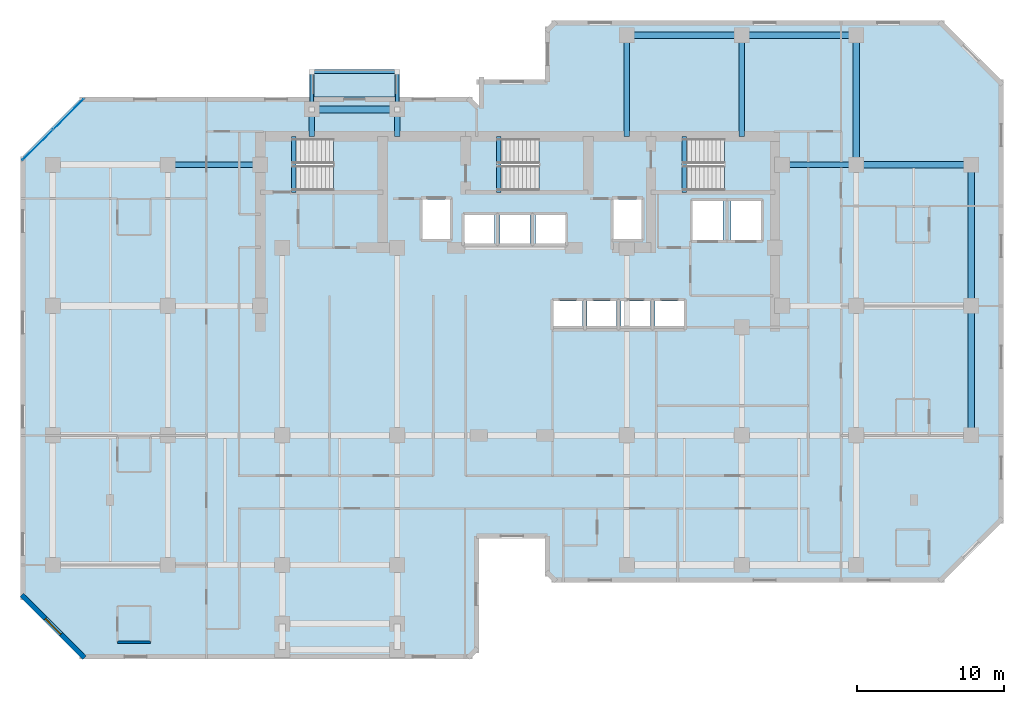
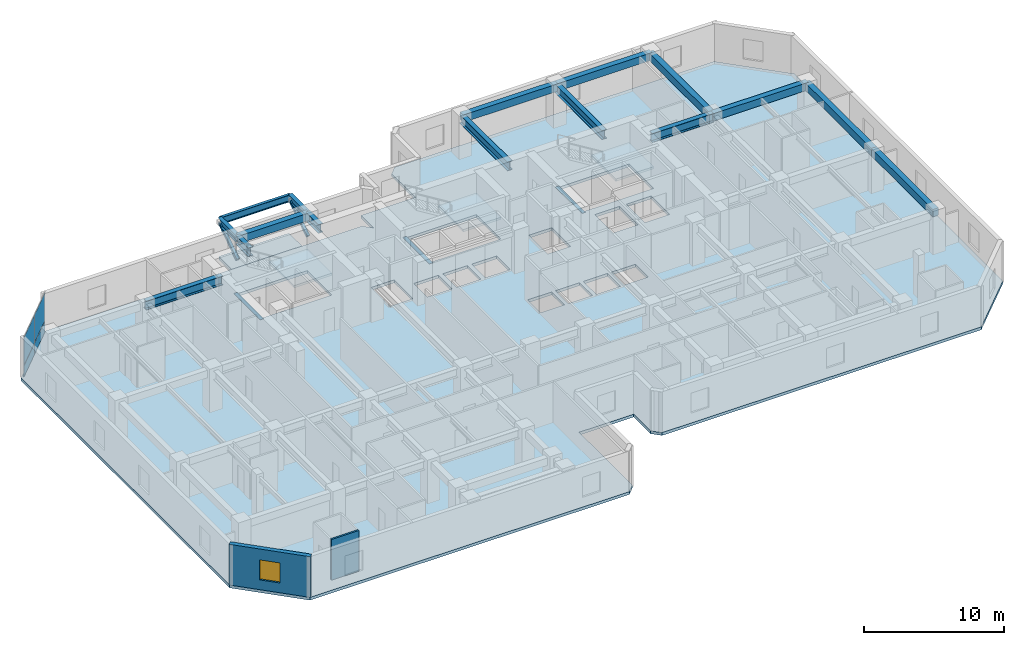
# One storey, part 3 of 9: 19 beams, 5 slabs, 4 plates, 2 members, 2 walls, 1 window, 1 opening, 4 elements without a shape of their own.
"""IFC4 building model written with IfcOpenShell, lengths in metres."""

from ifc_helpers import new_model, si_unit, direction, frame, frame_2d, origin, origin_2d, place, context, subcontext, project, spatial, polyline, rectangle, hollow_rectangle, i_section, outline, extrude, material, layer, layer_set, material_profile, profile_set, type_object, element, fill, aggregate, save


model = new_model("IFC4")

# Units and contexts
model_context = context("Model", 3, precision=1e-05, world=origin(), true_north=direction((0.0, 1.0)))
body_context = subcontext(model_context, "Body", "Model", "MODEL_VIEW")
ifc_project = project(units=[si_unit("LENGTHUNIT", "METRE"), si_unit("AREAUNIT", "SQUARE_METRE"), si_unit("VOLUMEUNIT", "CUBIC_METRE"), si_unit("PLANEANGLEUNIT", "RADIAN"), si_unit("MASSUNIT", "GRAM", prefix="KILO")], contexts=[model_context])

# Site, building, storey
site_placement = place(None, origin())
site = spatial("IfcSite", under=ifc_project, at=site_placement, CompositionType="ELEMENT")
building_placement = place(site_placement, origin())
building = spatial("IfcBuilding", under=site, at=building_placement, Name="Kestravale Grand Hotel", CompositionType="ELEMENT")
storey_placement = place(building_placement, frame((0.0, 0.0, 176.39990234375)))
storey = spatial("IfcBuildingStorey", under=building, at=storey_placement, Name="L44", CompositionType="ELEMENT", Elevation=176.39990234375)

# Beams
ifc_material_1 = material(Name="Concrete f'c 45 MPa", Category="concrete")
ifc_material_profile_1 = material_profile(ifc_material_1, rectangle(XDim=0.300048828125, YDim=0.39990234375, at=origin_2d()))
ifc_profile_set_1 = profile_set([ifc_material_profile_1], Name="Concrete f'c 45 MPa")
beam_type_1 = type_object("IfcBeamType", Name="B-FLR-LNT400", PredefinedType="LINTEL", material=ifc_profile_set_1)
for number, where, z_axis, x_axis, name in (
    (1, (24.159912109375, 36.52001953125, -0.199951171875), (0.0, 1.0, 0.0), (-1.0, 0.0, 0.0), "L44 ST1 flight bottom header beam"),
    (2, (38.110107421875, 36.52001953125, -0.199951171875), (0.0, 1.0, 0.0), (-1.0, 0.0, 0.0), "L44 ST2 flight bottom header beam"),
    (3, (50.7099609375, 36.52001953125, -0.199951171875), (0.0, 1.0, 0.0), (-1.0, 0.0, 0.0), "L44 ST3 flight bottom header beam"),
):
    element("IfcBeam", number, at=place(storey_placement, frame(where, z_axis=z_axis, x_axis=x_axis)), inside=storey, type_object=beam_type_1, Name=name, PredefinedType="LINTEL", context=body_context, shape_type="SweptSolid", body=[
        extrude(rectangle(XDim=0.300048828125, YDim=0.39990234375, at=origin_2d()), origin(), (0.0, 0.0, 1.0), 3.800048828125),
    ])
ifc_material_2 = material(Name="Concrete f'c 45 MPa", Category="concrete")
ifc_material_profile_2 = material_profile(ifc_material_2, rectangle(XDim=0.449951171875, YDim=0.64990234375, at=origin_2d()))
ifc_profile_set_2 = profile_set([ifc_material_profile_2], Name="Concrete f'c 45 MPa")
beam_type_2 = type_object("IfcBeamType", Name="B-FLR-RC650", PredefinedType="SPANDREL", material=ifc_profile_set_2)
for number, where, z_axis, x_axis, name in (
    (4, (62.39990234375, 38.39990234375, 3.22509765625), (1.0, 0.0, 0.0), (0.0, 1.0, 0.0), "L44 spandrel F:10-11"),
    (5, (46.800048828125, 47.199951171875, 3.22509765625), (1.0, 0.0, 0.0), (0.0, 1.0, 0.0), "L44 spandrel G:8-9"),
):
    element("IfcBeam", number, at=place(storey_placement, frame(where, z_axis=z_axis, x_axis=x_axis)), inside=storey, type_object=beam_type_2, Name=name, PredefinedType="SPANDREL", context=body_context, shape_type="SweptSolid", body=[
        extrude(rectangle(XDim=0.449951171875, YDim=0.64990234375, at=origin_2d()), origin(), (0.0, 0.0, 1.0), 7.800048828125),
    ])
beam_1_placement = place(storey_placement, frame((54.60009765625, 47.199951171875, 3.22509765625), z_axis=(1.0, 0.0, 0.0), x_axis=(0.0, 1.0, 0.0)))
element("IfcBeam", 6, at=beam_1_placement, inside=storey, type_object=beam_type_2, Name="L44 spandrel G:9-10", PredefinedType="SPANDREL", context=body_context, shape_type="SweptSolid", body=[
    extrude(rectangle(XDim=0.449951171875, YDim=0.64990234375, at=origin_2d()), origin(), (0.0, 0.0, 1.0), 7.7998046875),
])
beam_2_placement = place(storey_placement, frame((25.39990234375, 42.14990234375, 3.22509765625), z_axis=(1.0, 0.0, 0.0), x_axis=(0.0, 1.0, 0.0)))
element("IfcBeam", 7, at=beam_2_placement, inside=storey, type_object=beam_type_2, Name="L44 perimeter tie spandrel FN:4-5", PredefinedType="SPANDREL", context=body_context, shape_type="SweptSolid", body=[
    extrude(rectangle(XDim=0.449951171875, YDim=0.64990234375, at=origin_2d()), origin(), (0.0, 0.0, 1.0), 5.800048828125),
])
for number, where, z_axis, x_axis, name in (
    (8, (62.39990234375, 38.39990234375, 3.22509765625), (0.0, 1.0, 0.0), (-1.0, 0.0, 0.0), "L44 spandrel 10:F-G"),
    (9, (70.199951171875, 20.0, 3.22509765625), (0.0, 1.0, 0.0), (-1.0, 0.0, 0.0), "L44 spandrel 11:D-E"),
):
    element("IfcBeam", number, at=place(storey_placement, frame(where, z_axis=z_axis, x_axis=x_axis)), inside=storey, type_object=beam_type_2, Name=name, PredefinedType="SPANDREL", context=body_context, shape_type="SweptSolid", body=[
        extrude(rectangle(XDim=0.449951171875, YDim=0.64990234375, at=origin_2d()), origin(), (0.0, 0.0, 1.0), 8.800048828125),
    ])
beam_3_placement = place(storey_placement, frame((70.199951171875, 28.800048828125, 3.22509765625), z_axis=(0.0, 1.0, 0.0), x_axis=(-1.0, 0.0, 0.0)))
element("IfcBeam", 10, at=beam_3_placement, inside=storey, type_object=beam_type_2, Name="L44 spandrel 11:E-F", PredefinedType="SPANDREL", context=body_context, shape_type="SweptSolid", body=[
    extrude(rectangle(XDim=0.449951171875, YDim=0.64990234375, at=origin_2d()), origin(), (0.0, 0.0, 1.0), 9.599853515625),
])
ifc_material_3 = material(Name="Steel ASTM A992 Grade 50", Category="steel")
ifc_material_profile_3 = material_profile(ifc_material_3, i_section(OverallWidth=0.324951171875, OverallDepth=0.612060546875, WebThickness=0.0126953125, FlangeThickness=0.01904296875, FilletRadius=0.018798828125, at=origin_2d()))
ifc_profile_set_3 = profile_set([ifc_material_profile_3], Name="Steel ASTM A992 Grade 50")
beam_type_3 = type_object("IfcBeamType", Name="B-FLR-W24A", PredefinedType="SPANDREL", material=ifc_profile_set_3)
for number, where, z_axis, x_axis, name in (
    (11, (25.39990234375, 42.14990234375, 3.22412109375), (0.0, 1.0, 0.0), (-1.0, 0.0, 0.0), "L45 terrace cantilever beam 1"),
    (12, (31.199951171875, 42.14990234375, 3.22412109375), (0.0, 1.0, 0.0), (-1.0, 0.0, 0.0), "L45 terrace cantilever beam 2"),
):
    element("IfcBeam", number, at=place(storey_placement, frame(where, z_axis=z_axis, x_axis=x_axis)), inside=storey, type_object=beam_type_3, Name=name, PredefinedType="SPANDREL", context=body_context, shape_type="SweptSolid", body=[
        extrude(i_section(OverallWidth=0.324951171875, OverallDepth=0.612060546875, WebThickness=0.0126953125, FlangeThickness=0.01904296875, FilletRadius=0.018798828125, at=origin_2d()), origin(), (0.0, 0.0, 1.0), 2.550048828125),
    ])
ifc_material_4 = material(Name="Steel ASTM A992 Grade 50", Category="steel")
ifc_material_profile_4 = material_profile(ifc_material_4, i_section(OverallWidth=0.22900390625, OverallDepth=0.612060546875, WebThickness=0.011962890625, FlangeThickness=0.01953125, FilletRadius=0.019287109375, at=origin_2d()))
ifc_profile_set_4 = profile_set([ifc_material_profile_4], Name="Steel ASTM A992 Grade 50")
beam_type_4 = type_object("IfcBeamType", Name="B-FLR-W24B", PredefinedType="SPANDREL", material=ifc_profile_set_4)
beam_4_placement = place(storey_placement, frame((25.39990234375, 44.699951171875, 3.22412109375), z_axis=(1.0, 0.0, 0.0), x_axis=(0.0, 1.0, 0.0)))
element("IfcBeam", 13, at=beam_4_placement, inside=storey, type_object=beam_type_4, Name="L45 terrace edge spandrel", PredefinedType="SPANDREL", context=body_context, shape_type="SweptSolid", body=[
    extrude(i_section(OverallWidth=0.22900390625, OverallDepth=0.612060546875, WebThickness=0.011962890625, FlangeThickness=0.01953125, FilletRadius=0.019287109375, at=origin_2d()), origin(), (0.0, 0.0, 1.0), 5.800048828125),
])
ifc_material_5 = material(Name="Steel ASTM A992 Grade 50", Category="steel")
ifc_material_profile_5 = material_profile(ifc_material_5, i_section(OverallWidth=0.381103515625, OverallDepth=0.77197265625, WebThickness=0.0166015625, FlangeThickness=0.027099609375, FilletRadius=0.023681640625, at=origin_2d()))
ifc_profile_set_5 = profile_set([ifc_material_profile_5], Name="Steel ASTM A992 Grade 50")
beam_type_5 = type_object("IfcBeamType", Name="B-GRD-W30", PredefinedType="BEAM", material=ifc_profile_set_5)
beam_5_placement = place(storey_placement, frame((15.60009765625, 38.39990234375, 3.1640625), z_axis=(1.0, 0.0, 0.0), x_axis=(0.0, 1.0, 0.0)))
element("IfcBeam", 14, at=beam_5_placement, inside=storey, type_object=beam_type_5, Name="L44 girder F:3-CW", PredefinedType="BEAM", context=body_context, shape_type="SweptSolid", body=[
    extrude(i_section(OverallWidth=0.381103515625, OverallDepth=0.77197265625, WebThickness=0.0166015625, FlangeThickness=0.027099609375, FilletRadius=0.023681640625, at=origin_2d()), origin(), (0.0, 0.0, 1.0), 6.2998046875),
])
beam_6_placement = place(storey_placement, frame((57.35009765625, 38.39990234375, 3.1640625), z_axis=(1.0, 0.0, 0.0), x_axis=(0.0, 1.0, 0.0)))
element("IfcBeam", 15, at=beam_6_placement, inside=storey, type_object=beam_type_5, Name="L44 girder F:CE-10", PredefinedType="BEAM", context=body_context, shape_type="SweptSolid", body=[
    extrude(i_section(OverallWidth=0.381103515625, OverallDepth=0.77197265625, WebThickness=0.0166015625, FlangeThickness=0.027099609375, FilletRadius=0.023681640625, at=origin_2d()), origin(), (0.0, 0.0, 1.0), 5.0498046875),
])
for number, where, z_axis, x_axis, name in (
    (16, (25.39990234375, 40.320068359375, 3.1640625), (0.0, 1.0, 0.0), (-1.0, 0.0, 0.0), "L44 north wing tie girder 4:CN-FN"),
    (17, (31.199951171875, 40.320068359375, 3.1640625), (0.0, 1.0, 0.0), (-1.0, 0.0, 0.0), "L44 north wing tie girder 5:CN-FN"),
):
    element("IfcBeam", number, at=place(storey_placement, frame(where, z_axis=z_axis, x_axis=x_axis)), inside=storey, type_object=beam_type_5, Name=name, PredefinedType="BEAM", context=body_context, shape_type="SweptSolid", body=[
        extrude(i_section(OverallWidth=0.381103515625, OverallDepth=0.77197265625, WebThickness=0.0166015625, FlangeThickness=0.027099609375, FilletRadius=0.023681640625, at=origin_2d()), origin(), (0.0, 0.0, 1.0), 1.829833984375),
    ])
for number, where, z_axis, x_axis, name in (
    (18, (46.800048828125, 40.320068359375, 3.1640625), (0.0, 1.0, 0.0), (-1.0, 0.0, 0.0), "L44 north wing tie girder 8:CN-G"),
    (19, (54.60009765625, 40.320068359375, 3.1640625), (0.0, 1.0, 0.0), (-1.0, 0.0, 0.0), "L44 north wing tie girder 9:CN-G"),
):
    element("IfcBeam", number, at=place(storey_placement, frame(where, z_axis=z_axis, x_axis=x_axis)), inside=storey, type_object=beam_type_5, Name=name, PredefinedType="BEAM", context=body_context, shape_type="SweptSolid", body=[
        extrude(i_section(OverallWidth=0.381103515625, OverallDepth=0.77197265625, WebThickness=0.0166015625, FlangeThickness=0.027099609375, FilletRadius=0.023681640625, at=origin_2d()), origin(), (0.0, 0.0, 1.0), 6.8798828125),
    ])

# Members
ifc_material_6 = material(Name="Steel ASTM A500 Grade C", Category="steel")
ifc_material_profile_6 = material_profile(ifc_material_6, hollow_rectangle(XDim=0.25, YDim=0.25, WallThickness=0.011962890625, InnerFilletRadius=0.011962890625, OuterFilletRadius=0.02392578125, at=origin_2d()))
ifc_profile_set_6 = profile_set([ifc_material_profile_6], Name="Steel ASTM A500 Grade C")
member_type = type_object("IfcMemberType", Name="M-BLT-STR250", PredefinedType="STRUT", material=ifc_profile_set_6)
for number, where, z_axis, x_axis, name in (
    (20, (25.39990234375, 42.14990234375, 1.3740234375), (0.0, 0.832025783431, 0.554736960825), (-1.0, 0.0, 0.0), "L45 terrace knee-brace strut 1"),
    (21, (31.199951171875, 42.14990234375, 1.3740234375), (0.0, 0.832025783431, 0.554736960825), (-1.0, 0.0, 0.0), "L45 terrace knee-brace strut 2"),
):
    element("IfcMember", number, at=place(storey_placement, frame(where, z_axis=z_axis, x_axis=x_axis)), inside=storey, type_object=member_type, Name=name, PredefinedType="STRUT", context=body_context, shape_type="SweptSolid", body=[
        extrude(hollow_rectangle(XDim=0.25, YDim=0.25, WallThickness=0.011962890625, InnerFilletRadius=0.011962890625, OuterFilletRadius=0.02392578125, at=origin_2d()), origin(), (0.0, 0.0, 1.0), 3.06494140625),
    ])

# Curtain wall, plates
ifc_material_7 = material(Name="Thermally broken champagne-bronze aluminium and low-E glazing", Category="aluminium")
ifc_layer_1 = layer(ifc_material_7, 0.179931640625)
ifc_layer_set_1 = layer_set([ifc_layer_1], Name="CW-Z3")
curtain_wall_type = type_object("IfcCurtainWallType", Name="CW-Z3", PredefinedType="NOTDEFINED", material=ifc_layer_set_1)
curtain_wall_placement = place(storey_placement, origin())
curtain_wall = element("IfcCurtainWall", 22, at=curtain_wall_placement, inside=storey, type_object=curtain_wall_type, Name="L44 unitised curtain wall 18", PredefinedType="NOTDEFINED")
ifc_material_8 = material(Name="Insulated clear low-E double glazing IGU", Category="glass")
ifc_layer_2 = layer(ifc_material_8, 0.031982421875)
ifc_layer_set_2 = layer_set([ifc_layer_2], Name="CW-PNL-32")
plate_type = type_object("IfcPlateType", Name="CW-PNL-32", PredefinedType="CURTAIN_PANEL", material=ifc_layer_set_2)
plate_1_placement = place(storey_placement, frame((8.86572265625, 41.825439453125, 0.06494140625), z_axis=(0.0, 0.0, 1.0), x_axis=(-0.707106781187, -0.707106781187, 0.0)))
plate_1 = element("IfcPlate", 23, at=plate_1_placement, type_object=plate_type, Name="CW-Z3 panel 1.1", PredefinedType="CURTAIN_PANEL", context=body_context, shape_type="SweptSolid", body=[
    extrude(rectangle(XDim=2.892333984375, YDim=0.031982421875, at=origin_2d()), origin(), (0.0, 0.0, 1.0), 0.952392578125),
])
plate_2_placement = place(storey_placement, frame((8.86572265625, 41.825439453125, 1.08251953125), z_axis=(0.0, 0.0, 1.0), x_axis=(-0.707106781187, -0.707106781187, 0.0)))
plate_2 = element("IfcPlate", 24, at=plate_2_placement, type_object=plate_type, Name="CW-Z3 panel 1.2", PredefinedType="CURTAIN_PANEL", context=body_context, shape_type="SweptSolid", body=[
    extrude(rectangle(XDim=2.892333984375, YDim=0.031982421875, at=origin_2d()), origin(), (0.0, 0.0, 1.0), 2.402587890625),
])
plate_3_placement = place(storey_placement, frame((6.774658203125, 39.734130859375, 0.06494140625), z_axis=(0.0, 0.0, 1.0), x_axis=(-0.707106781187, -0.707106781187, 0.0)))
plate_3 = element("IfcPlate", 25, at=plate_3_placement, type_object=plate_type, Name="CW-Z3 panel 2.1", PredefinedType="CURTAIN_PANEL", context=body_context, shape_type="SweptSolid", body=[
    extrude(rectangle(XDim=2.892333984375, YDim=0.031982421875, at=origin_2d()), origin(), (0.0, 0.0, 1.0), 0.952392578125),
])
plate_4_placement = place(storey_placement, frame((6.774658203125, 39.734130859375, 1.08251953125), z_axis=(0.0, 0.0, 1.0), x_axis=(-0.707106781187, -0.707106781187, 0.0)))
plate_4 = element("IfcPlate", 26, at=plate_4_placement, type_object=plate_type, Name="CW-Z3 panel 2.2", PredefinedType="CURTAIN_PANEL", context=body_context, shape_type="SweptSolid", body=[
    extrude(rectangle(XDim=2.892333984375, YDim=0.031982421875, at=origin_2d()), origin(), (0.0, 0.0, 1.0), 2.402587890625),
])
aggregate(curtain_wall, [plate_1, plate_2, plate_3, plate_4])

# Slab
ifc_material_9 = material(Name="Concrete f'c 45 MPa", Category="concrete")
ifc_layer_3 = layer(ifc_material_9, 0.27001953125)
ifc_layer_set_3 = layer_set([ifc_layer_3], Name="ES-TERR-270")
slab_type_1 = type_object("IfcSlabType", Name="ES-TERR-270", PredefinedType="FLOOR", material=ifc_layer_set_3)
slab_1_placement = place(storey_placement, frame((0.0, 0.0, -0.27001953125)))
element("IfcSlab", 27, at=slab_1_placement, inside=storey, type_object=slab_type_1, Name="L44 spiralling planted garden terrace", PredefinedType="FLOOR", context=body_context, shape_type="SweptSolid", body=[
    extrude(outline(polyline([(25.39990234375, 43.0), (31.199951171875, 43.0), (31.199951171875, 44.85009765625), (25.39990234375, 44.85009765625), (25.39990234375, 43.0)])), origin(), (0.0, 0.0, 1.0), 0.27001953125),
])

# Stair, slab
ifc_material_10 = material(Name="Concrete f'c 45 MPa", Category="concrete")
stair_type = type_object("IfcStairType", Name="ST-CORE-380", PredefinedType="HALF_TURN_STAIR", material=ifc_material_10)
stair_1_placement = place(storey_placement, origin())
stair_1 = element("IfcStair", 28, at=stair_1_placement, inside=storey, type_object=stair_type, Name="L44 ST-1", PredefinedType="HALF_TURN_STAIR")
ifc_material_11 = material(Name="Concrete f'c 45 MPa", Category="concrete")
ifc_layer_4 = layer(ifc_material_11, 0.199951171875)
ifc_layer_set_4 = layer_set([ifc_layer_4], Name="SLB-ST-LND200")
slab_type_2 = type_object("IfcSlabType", Name="SLB-ST-LND200", PredefinedType="LANDING", material=ifc_layer_set_4)
slab_2_placement = place(storey_placement, frame((0.0, 0.0, 1.7001953125)))
slab_2 = element("IfcSlab", 29, at=slab_2_placement, type_object=slab_type_2, Name="ST-1 landing 1", PredefinedType="LANDING", context=body_context, shape_type="SweptSolid", body=[
    extrude(outline(polyline([(26.8798828125, 36.64990234375), (30.0, 36.64990234375), (30.0, 40.159912109375), (26.8798828125, 40.159912109375), (26.8798828125, 36.64990234375)])), origin(), (0.0, 0.0, 1.0), 0.199951171875),
])
aggregate(stair_1, [slab_2])

stair_2_placement = place(storey_placement, origin())
stair_2 = element("IfcStair", 30, at=stair_2_placement, inside=storey, type_object=stair_type, Name="L44 ST-2", PredefinedType="HALF_TURN_STAIR")
slab_3_placement = place(storey_placement, frame((0.0, 0.0, 1.7001953125)))
slab_3 = element("IfcSlab", 31, at=slab_3_placement, type_object=slab_type_2, Name="ST-2 landing 1", PredefinedType="LANDING", context=body_context, shape_type="SweptSolid", body=[
    extrude(outline(polyline([(40.830078125, 36.64990234375), (43.949951171875, 36.64990234375), (43.949951171875, 40.159912109375), (40.830078125, 40.159912109375), (40.830078125, 36.64990234375)])), origin(), (0.0, 0.0, 1.0), 0.199951171875),
])
aggregate(stair_2, [slab_3])

stair_3_placement = place(storey_placement, origin())
stair_3 = element("IfcStair", 32, at=stair_3_placement, inside=storey, type_object=stair_type, Name="L44 ST-3", PredefinedType="HALF_TURN_STAIR")
slab_4_placement = place(storey_placement, frame((0.0, 0.0, 1.7001953125)))
slab_4 = element("IfcSlab", 33, at=slab_4_placement, type_object=slab_type_2, Name="ST-3 landing 1", PredefinedType="LANDING", context=body_context, shape_type="SweptSolid", body=[
    extrude(outline(polyline([(53.429931640625, 36.64990234375), (56.550048828125, 36.64990234375), (56.550048828125, 40.159912109375), (53.429931640625, 40.159912109375), (53.429931640625, 36.64990234375)])), origin(), (0.0, 0.0, 1.0), 0.199951171875),
])
aggregate(stair_3, [slab_4])

# Slab
ifc_material_12 = material(Name="Concrete f'c 45 MPa", Category="concrete")
ifc_layer_5 = layer(ifc_material_12, 0.25)
ifc_layer_set_5 = layer_set([ifc_layer_5], Name="SS-FLR-250")
slab_type_3 = type_object("IfcSlabType", Name="SS-FLR-250", PredefinedType="FLOOR", material=ifc_layer_set_5)
slab_5_placement = place(storey_placement, frame((0.0, 0.0, -0.25)))
element("IfcSlab", 34, at=slab_5_placement, inside=storey, type_object=slab_type_3, Name="L44 structural floor slab", PredefinedType="FLOOR", context=body_context, shape_type="SweptSolid", body=[
    extrude(outline(polyline([(9.800048828125, 4.800048828125), (36.14990234375, 4.800048828125), (36.75, 5.39990234375), (36.75, 13.0), (41.25, 13.0), (41.25, 10.60009765625), (41.85009765625, 10.0), (68.199951171875, 10.0), (72.39990234375, 14.199951171875), (72.39990234375, 44.0), (68.199951171875, 48.199951171875), (41.85009765625, 48.199951171875), (41.25, 47.60009765625), (41.25, 44.199951171875), (36.75, 44.199951171875), (36.75, 42.39990234375), (36.14990234375, 43.0), (9.800048828125, 43.0), (5.60009765625, 38.800048828125), (5.60009765625, 9.0), (9.800048828125, 4.800048828125)]), holes=[polyline([(24.080078125, 36.64990234375), (30.0, 36.64990234375), (30.0, 40.159912109375), (24.080078125, 40.159912109375), (24.080078125, 36.64990234375)]), polyline([(38.030029296875, 36.64990234375), (43.949951171875, 36.64990234375), (43.949951171875, 40.159912109375), (38.030029296875, 40.159912109375), (38.030029296875, 36.64990234375)]), polyline([(50.6298828125, 36.64990234375), (56.550048828125, 36.64990234375), (56.550048828125, 40.159912109375), (50.6298828125, 40.159912109375), (50.6298828125, 36.64990234375)]), polyline([(41.804931640625, 27.280029296875), (43.794921875, 27.280029296875), (43.794921875, 29.1201171875), (41.804931640625, 29.1201171875), (41.804931640625, 27.280029296875)]), polyline([(44.10498046875, 27.280029296875), (46.094970703125, 27.280029296875), (46.094970703125, 29.1201171875), (44.10498046875, 29.1201171875), (44.10498046875, 27.280029296875)]), polyline([(46.405029296875, 27.280029296875), (48.39501953125, 27.280029296875), (48.39501953125, 29.1201171875), (46.405029296875, 29.1201171875), (46.405029296875, 27.280029296875)]), polyline([(48.705078125, 27.280029296875), (50.695068359375, 27.280029296875), (50.695068359375, 29.1201171875), (48.705078125, 29.1201171875), (48.705078125, 27.280029296875)]), polyline([(35.780029296875, 33.030029296875), (37.820068359375, 33.030029296875), (37.820068359375, 34.969970703125), (35.780029296875, 34.969970703125), (35.780029296875, 33.030029296875)]), polyline([(38.179931640625, 33.030029296875), (40.219970703125, 33.030029296875), (40.219970703125, 34.969970703125), (38.179931640625, 34.969970703125), (38.179931640625, 33.030029296875)]), polyline([(40.580078125, 33.030029296875), (42.6201171875, 33.030029296875), (42.6201171875, 34.969970703125), (40.580078125, 34.969970703125), (40.580078125, 33.030029296875)]), polyline([(32.905029296875, 33.35498046875), (34.794921875, 33.35498046875), (34.794921875, 36.044921875), (32.905029296875, 36.044921875), (32.905029296875, 33.35498046875)]), polyline([(45.905029296875, 33.35498046875), (47.794921875, 33.35498046875), (47.794921875, 36.044921875), (45.905029296875, 36.044921875), (45.905029296875, 33.35498046875)]), polyline([(51.280029296875, 33.280029296875), (53.320068359375, 33.280029296875), (53.320068359375, 35.919921875), (51.280029296875, 35.919921875), (51.280029296875, 33.280029296875)]), polyline([(53.8798828125, 33.280029296875), (55.919921875, 33.280029296875), (55.919921875, 35.919921875), (53.8798828125, 35.919921875), (53.8798828125, 33.280029296875)])]), origin(), (0.0, 0.0, 1.0), 0.25),
])

# Wall, opening, window
ifc_material_13 = material(Name="Precast concrete f'c 45 MPa", Category="concrete")
ifc_layer_6 = layer(ifc_material_13, 0.340087890625)
ifc_layer_set_6 = layer_set([ifc_layer_6], Name="EW-PREC-340")
wall_type_1 = type_object("IfcWallType", Name="EW-PREC-340", PredefinedType="SOLIDWALL", material=ifc_layer_set_6)
wall_1_placement = place(storey_placement, frame((5.69189453125, 9.1484375, 0.0), z_axis=(0.0, 0.0, 1.0), x_axis=(0.707106781187, -0.707106781187, 0.0)))
wall_1 = element("IfcWall", 35, at=wall_1_placement, inside=storey, type_object=wall_type_1, Name="L44 fluted precast facade wall 20", PredefinedType="SOLIDWALL", context=body_context, shape_type="SweptSolid", body=[
    extrude(rectangle(XDim=6.019775390625, YDim=0.340087890625, at=frame_2d((3.009765625, 0.0))), origin(), (0.0, 0.0, 1.0), 3.550048828125),
])
opening_placement = place(wall_1_placement, frame((2.260009765625, 0.0, 0.85009765625)))
opening = element("IfcOpeningElement", 36, at=opening_placement, cuts=wall_1, Name="Opening W-GUEST-1500", PredefinedType="OPENING", context=body_context, shape_type="SweptSolid", body=[
    extrude(rectangle(XDim=1.5, YDim=1.75, at=frame_2d((0.75, 0.875))), frame((0.0, 0.179931640625, 0.0), z_axis=(0.0, -1.0, 0.0), x_axis=(1.0, 0.0, 0.0)), (0.0, 0.0, 1.0), 0.360107421875),
])
ifc_material_14 = material(Name="Insulated low-E double glazing in aluminium frame", Category="aluminium")
window_type = type_object("IfcWindowType", Name="W-GUEST-1500", PartitioningType="SINGLE_PANEL", PredefinedType="WINDOW", material=ifc_material_14)
window_placement = place(opening_placement, origin())
window = element("IfcWindow", 37, at=window_placement, inside=storey, type_object=window_type, Name="L44 exterior window 20.1", OverallHeight=1.75, OverallWidth=1.5, PartitioningType="SINGLE_PANEL", PredefinedType="WINDOW", context=body_context, shape_type="SweptSolid", body=[
    extrude(rectangle(XDim=1.5, YDim=1.75, at=frame_2d((0.75, 0.875))), frame((0.0, 0.030029296875, 0.0), z_axis=(0.0, -1.0, 0.0), x_axis=(1.0, 0.0, 0.0)), (0.0, 0.0, 1.0), 0.06005859375),
])
fill(opening, window)

# Wall
ifc_material_15 = material(Name="Moisture-resistant tile-backer plumbing chase wall", Category="other")
ifc_layer_7 = layer(ifc_material_15, 0.139892578125)
ifc_layer_set_7 = layer_set([ifc_layer_7], Name="IW-PLB-140")
wall_type_2 = type_object("IfcWallType", Name="IW-PLB-140", PredefinedType="PLUMBINGWALL", material=ifc_layer_set_7)
wall_2_placement = place(storey_placement, frame((12.199951171875, 5.949951171875, 0.0), z_axis=(0.0, 0.0, 1.0), x_axis=(1.0, 0.0, 0.0)))
element("IfcWall", 38, at=wall_2_placement, inside=storey, type_object=wall_type_2, Name="W-L44-U02-BS", PredefinedType="PLUMBINGWALL", context=body_context, shape_type="SweptSolid", body=[
    extrude(rectangle(XDim=2.25, YDim=0.139892578125, at=frame_2d((1.125, 0.0))), origin(), (0.0, 0.0, 1.0), 3.550048828125),
])

save(model, "model.ifc")
